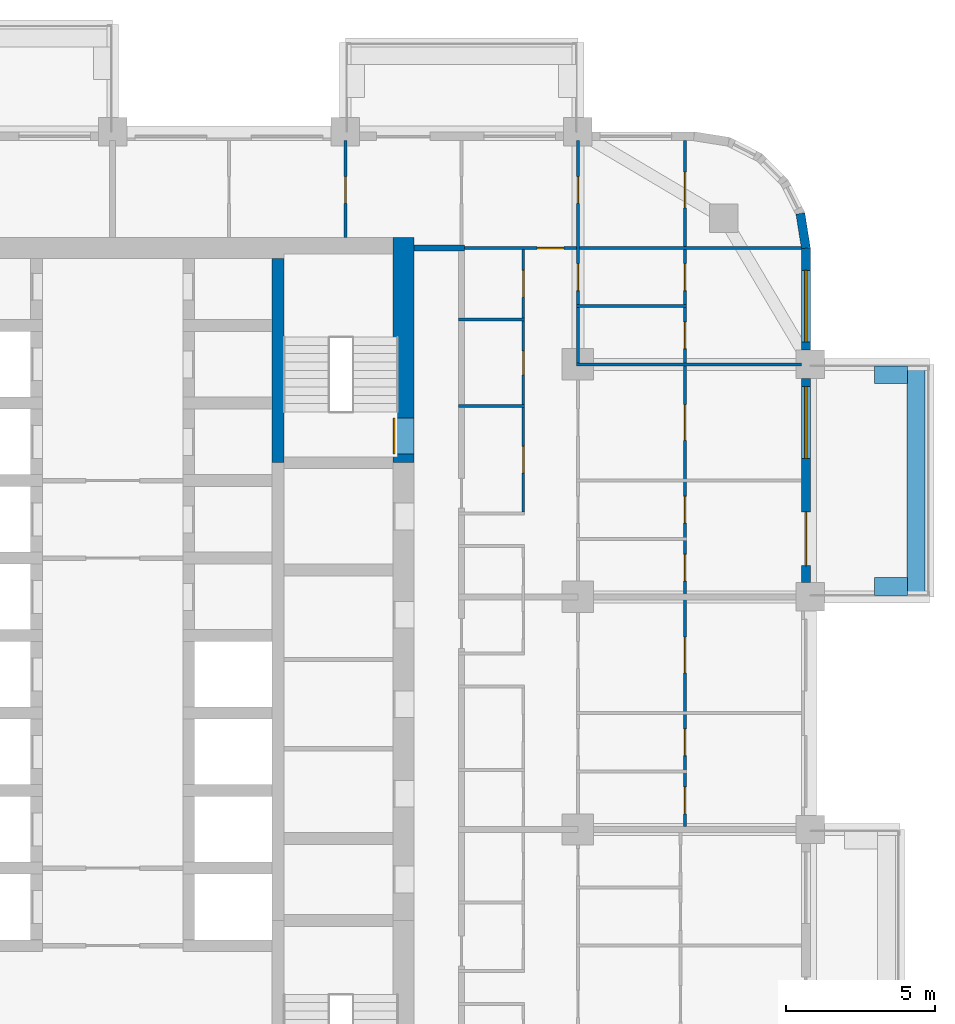
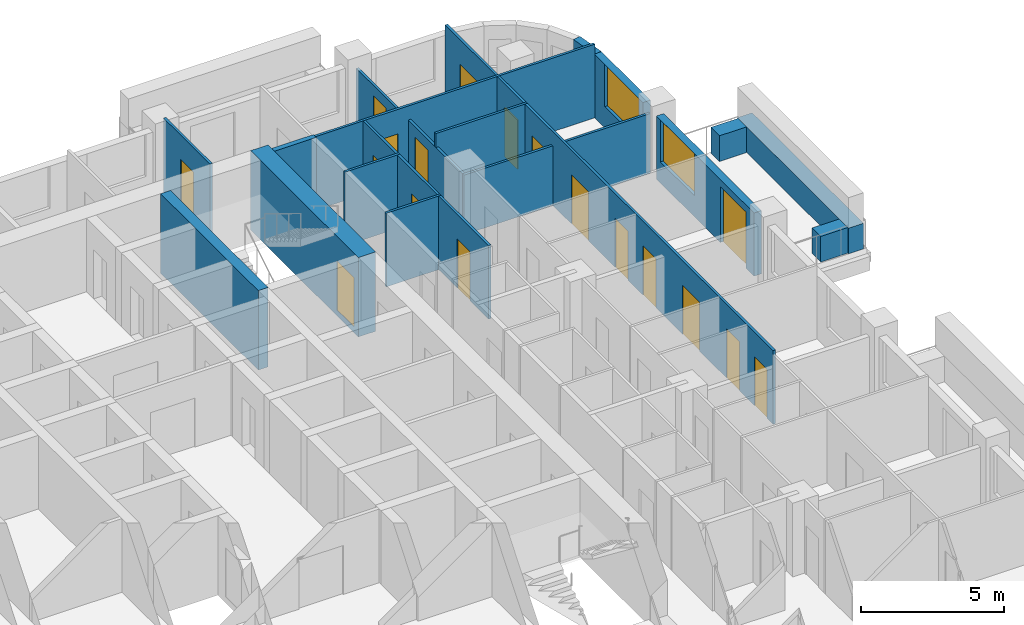
# One storey, part 13 of 18: 18 doors, 18 walls, 2 windows, 20 openings.
"""IFC4 building model written with IfcOpenShell, lengths in metres."""

from ifc_helpers import new_model, si_unit, direction, frame, frame_2d, origin, place, context, subcontext, project, spatial, rectangle, extrude, material, layer, layer_set, type_object, element, fill, save


model = new_model("IFC4")

# Units and contexts
model_context = context("Model", 3, precision=1e-05, world=origin(), true_north=direction((0.0, 1.0)))
body_context = subcontext(model_context, "Body", "Model", "MODEL_VIEW")
ifc_project = project(units=[si_unit("LENGTHUNIT", "METRE"), si_unit("AREAUNIT", "SQUARE_METRE"), si_unit("VOLUMEUNIT", "CUBIC_METRE"), si_unit("PLANEANGLEUNIT", "RADIAN"), si_unit("MASSUNIT", "GRAM", prefix="KILO")], contexts=[model_context])

# Site, building, storey
site_placement = place(None, origin())
site = spatial("IfcSite", under=ifc_project, at=site_placement, CompositionType="ELEMENT")
building_placement = place(site_placement, origin())
building = spatial("IfcBuilding", under=site, at=building_placement, Name="Ludao Terraces", CompositionType="ELEMENT")
storey_placement = place(building_placement, frame((0.0, 0.0, 61.39990234375)))
storey = spatial("IfcBuildingStorey", under=building, at=storey_placement, Name="L16", CompositionType="ELEMENT", Elevation=61.39990234375)

# Wall, opening, door
ifc_material_1 = material(Name="Concrete C70", Category="concrete")
ifc_layer_1 = layer(ifc_material_1, 0.699951171875)
ifc_layer_set_1 = layer_set([ifc_layer_1], Name="Core wall 700 C70")
wall_type_1 = type_object("IfcWallType", Name="Core wall 700 C70", PredefinedType="SOLIDWALL", material=ifc_layer_set_1)
wall_1_placement = place(storey_placement, frame((94.75, 77.300048828125, -0.25), z_axis=(0.0, 0.0, 1.0), x_axis=(0.0, 1.0, 0.0)))
wall_1 = element("IfcWall", 1, at=wall_1_placement, inside=storey, type_object=wall_type_1, Name="Core wall L16 outer-E-S2", PredefinedType="SOLIDWALL", context=body_context, shape_type="SweptSolid", body=[
    extrude(rectangle(XDim=7.550048828125, YDim=0.699951171875, at=frame_2d((3.77490234375, 0.0))), origin(), (0.0, 0.0, 1.0), 3.400146484375),
])
opening_1_placement = place(wall_1_placement, frame((0.300048828125, 0.0, 0.25)))
opening_1 = element("IfcOpeningElement", 2, at=opening_1_placement, cuts=wall_1, Name="Opening R05-136", PredefinedType="OPENING", context=body_context, shape_type="SweptSolid", body=[
    extrude(rectangle(XDim=1.199951171875, YDim=2.10009765625, at=frame_2d((0.60009765625, 1.050048828125))), frame((0.0, 0.35986328125, 0.0), z_axis=(0.0, -1.0, 0.0), x_axis=(1.0, 0.0, 0.0)), (0.0, 0.0, 1.0), 0.719970703125),
])
ifc_material_2 = material(Name="Steel Q235", Category="steel")
door_type_1 = type_object("IfcDoorType", Name="INT Stair door 1200", OperationType="DOUBLE_DOOR_SINGLE_SWING", PredefinedType="DOOR", material=ifc_material_2)
door_1_placement = place(opening_1_placement, origin())
door_1 = element("IfcDoor", 3, at=door_1_placement, inside=storey, type_object=door_type_1, Name="DOOR 136", OperationType="DOUBLE_DOOR_SINGLE_SWING", OverallHeight=2.10009765625, OverallWidth=1.199951171875, PredefinedType="DOOR", context=body_context, shape_type="SweptSolid", body=[
    extrude(rectangle(XDim=1.199951171875, YDim=2.10009765625, at=frame_2d((0.60009765625, 1.050048828125))), frame((0.0, 0.3349609375, 0.0), z_axis=(0.0, -1.0, 0.0), x_axis=(1.0, 0.0, 0.0)), (0.0, 0.0, 1.0), 0.050048828125),
])
fill(opening_1, door_1)

# Walls
ifc_material_3 = material(Name="Concrete C40", Category="concrete")
ifc_layer_2 = layer(ifc_material_3, 0.60009765625)
ifc_layer_set_2 = layer_set([ifc_layer_2], Name="ENV Planter trough 600")
wall_type_2 = type_object("IfcWallType", Name="ENV Planter trough 600", PredefinedType="USERDEFINED", material=ifc_layer_set_2)
wall_2_placement = place(storey_placement, frame((111.949951171875, 72.800048828125, 0.0), z_axis=(0.0, 0.0, 1.0), x_axis=(0.0, 1.0, 0.0)))
element("IfcWall", 4, at=wall_2_placement, inside=storey, type_object=wall_type_2, Name="PL-L16-E4", ObjectType="PLANTER", PredefinedType="USERDEFINED", context=body_context, shape_type="SweptSolid", body=[
    extrude(rectangle(XDim=7.800048828125, YDim=0.60009765625, at=frame_2d((3.89990234375, 0.0))), origin(), (0.0, 0.0, 1.0), 1.10009765625),
])
for number, where, z_axis, x_axis, name in (
    (5, (111.64990234375, 73.14990234375, 0.0), (0.0, 0.0, 1.0), (-1.0, 0.0, 0.0), "PL-L16-E4-SA"),
    (6, (111.64990234375, 80.25, 0.0), (0.0, 0.0, 1.0), (-1.0, 0.0, 0.0), "PL-L16-E4-SB"),
):
    element("IfcWall", number, at=place(storey_placement, frame(where, z_axis=z_axis, x_axis=x_axis)), inside=storey, type_object=wall_type_2, Name=name, ObjectType="PLANTER", PredefinedType="USERDEFINED", context=body_context, shape_type="SweptSolid", body=[
        extrude(rectangle(XDim=1.099853515625, YDim=0.60009765625, at=frame_2d((0.5498046875, 0.0))), origin(), (0.0, 0.0, 1.0), 1.10009765625),
    ])

# Wall, openings, door, window
ifc_material_4 = material(Name="Granite cladding", Category="masonry")
ifc_layer_3 = layer(ifc_material_4, 0.0400390625, Category="stone")
ifc_material_5 = material(Name="Mineral wool")
ifc_layer_4 = layer(ifc_material_5, 0.06005859375)
ifc_layer_5 = layer(ifc_material_3, 0.199951171875, Category="concrete")
ifc_layer_set_3 = layer_set([ifc_layer_3, ifc_layer_4, ifc_layer_5], Name="ENV Stone-clad wall 300")
wall_type_3 = type_object("IfcWallType", Name="ENV Stone-clad wall 300", PredefinedType="SOLIDWALL", material=ifc_layer_set_3)
wall_3_placement = place(storey_placement, frame((108.25, 73.27490234375, 0.0), z_axis=(0.0, 0.0, 1.0), x_axis=(0.0, 1.0, 0.0)))
wall_3 = element("IfcWall", 7, at=wall_3_placement, inside=storey, type_object=wall_type_3, Name="EW-L16-E5", PredefinedType="SOLIDWALL", context=body_context, shape_type="SweptSolid", body=[
    extrude(rectangle(XDim=6.85009765625, YDim=0.300048828125, at=frame_2d((3.425048828125, 0.0))), origin(), (0.0, 0.0, 1.0), 2.7001953125),
])
opening_2_placement = place(wall_3_placement, frame((0.574951171875, 0.0, 0.0)))
opening_2 = element("IfcOpeningElement", 8, at=opening_2_placement, cuts=wall_3, Name="Opening BD", PredefinedType="OPENING", context=body_context, shape_type="SweptSolid", body=[
    extrude(rectangle(XDim=1.800048828125, YDim=2.39990234375, at=frame_2d((0.89990234375, 1.199951171875))), frame((0.0, 0.16015625, 0.0), z_axis=(0.0, -1.0, 0.0), x_axis=(1.0, 0.0, 0.0)), (0.0, 0.0, 1.0), 0.320068359375),
])
opening_3_placement = place(wall_3_placement, frame((4.175048828125, 0.0, 0.89990234375)))
opening_3 = element("IfcOpeningElement", 9, at=opening_3_placement, cuts=wall_3, Name="Opening W1", PredefinedType="OPENING", context=body_context, shape_type="SweptSolid", body=[
    extrude(rectangle(XDim=2.39990234375, YDim=1.800048828125, at=frame_2d((1.199951171875, 0.89990234375))), frame((0.0, 0.16015625, 0.0), z_axis=(0.0, -1.0, 0.0), x_axis=(1.0, 0.0, 0.0)), (0.0, 0.0, 1.0), 0.320068359375),
])
ifc_material_6 = material(Name="Aluminium glazed door", Category="aluminium")
ifc_layer_6 = layer(ifc_material_6, 0.06005859375)
ifc_layer_set_4 = layer_set([ifc_layer_6], Name="ENV Balcony door BD 1800x2400")
door_type_2 = type_object("IfcDoorType", Name="ENV Balcony door BD 1800x2400", OperationType="DOUBLE_DOOR_SINGLE_SWING", PredefinedType="DOOR", material=ifc_layer_set_4)
door_2_placement = place(opening_2_placement, origin())
door_2 = element("IfcDoor", 10, at=door_2_placement, inside=storey, type_object=door_type_2, Name="BD-L16-E5-1", OperationType="DOUBLE_DOOR_SINGLE_SWING", OverallHeight=2.39990234375, OverallWidth=1.800048828125, PredefinedType="DOOR", context=body_context, shape_type="SweptSolid", body=[
    extrude(rectangle(XDim=1.800048828125, YDim=2.39990234375, at=frame_2d((0.89990234375, 1.199951171875))), frame((0.0, 0.02490234375, 0.0), z_axis=(0.0, -1.0, 0.0), x_axis=(1.0, 0.0, 0.0)), (0.0, 0.0, 1.0), 0.050048828125),
])
fill(opening_2, door_2)
ifc_material_7 = material(Name="Clear glass in aluminium frame", Category="aluminium")
ifc_layer_7 = layer(ifc_material_7, 0.06005859375)
ifc_layer_set_5 = layer_set([ifc_layer_7], Name="ENV Window W1 2400x1800")
window_type = type_object("IfcWindowType", Name="ENV Window W1 2400x1800", PartitioningType="DOUBLE_PANEL_VERTICAL", PredefinedType="WINDOW", material=ifc_layer_set_5)
window_1_placement = place(opening_3_placement, origin())
window_1 = element("IfcWindow", 11, at=window_1_placement, inside=storey, type_object=window_type, Name="W-L16-E5-2", OverallHeight=1.800048828125, OverallWidth=2.39990234375, PartitioningType="DOUBLE_PANEL_VERTICAL", PredefinedType="WINDOW", context=body_context, shape_type="SweptSolid", body=[
    extrude(rectangle(XDim=2.39990234375, YDim=1.800048828125, at=frame_2d((1.199951171875, 0.89990234375))), frame((0.0, 0.030029296875, 0.0), z_axis=(0.0, -1.0, 0.0), x_axis=(1.0, 0.0, 0.0)), (0.0, 0.0, 1.0), 0.06005859375),
])
fill(opening_3, window_1)

# Wall, opening, window
wall_4_placement = place(storey_placement, frame((108.25, 81.074951171875, 0.0), z_axis=(0.0, 0.0, 1.0), x_axis=(0.0, 1.0, 0.0)))
wall_4 = element("IfcWall", 12, at=wall_4_placement, inside=storey, type_object=wall_type_3, Name="EW-L16-E6", PredefinedType="SOLIDWALL", context=body_context, shape_type="SweptSolid", body=[
    extrude(rectangle(XDim=3.425048828125, YDim=0.300048828125, at=frame_2d((1.71240234375, 0.0))), origin(), (0.0, 0.0, 1.0), 2.7001953125),
])
opening_4_placement = place(wall_4_placement, frame((0.27490234375, 0.0, 0.89990234375)))
opening_4 = element("IfcOpeningElement", 13, at=opening_4_placement, cuts=wall_4, Name="Opening W1", PredefinedType="OPENING", context=body_context, shape_type="SweptSolid", body=[
    extrude(rectangle(XDim=2.39990234375, YDim=1.800048828125, at=frame_2d((1.199951171875, 0.89990234375))), frame((0.0, 0.16015625, 0.0), z_axis=(0.0, -1.0, 0.0), x_axis=(1.0, 0.0, 0.0)), (0.0, 0.0, 1.0), 0.320068359375),
])
window_2_placement = place(opening_4_placement, origin())
window_2 = element("IfcWindow", 14, at=window_2_placement, inside=storey, type_object=window_type, Name="W-L16-E6-1", OverallHeight=1.800048828125, OverallWidth=2.39990234375, PartitioningType="DOUBLE_PANEL_VERTICAL", PredefinedType="WINDOW", context=body_context, shape_type="SweptSolid", body=[
    extrude(rectangle(XDim=2.39990234375, YDim=1.800048828125, at=frame_2d((1.199951171875, 0.89990234375))), frame((0.0, 0.030029296875, 0.0), z_axis=(0.0, -1.0, 0.0), x_axis=(1.0, 0.0, 0.0)), (0.0, 0.0, 1.0), 0.06005859375),
])
fill(opening_4, window_2)

# Walls
wall_5_placement = place(storey_placement, frame((108.25, 84.5, 0.0), z_axis=(0.0, 0.0, 1.0), x_axis=(-0.156496880861, 0.987678452879, 0.0)))
element("IfcWall", 15, at=wall_5_placement, inside=storey, type_object=wall_type_3, Name="EW-L16-NE1", PredefinedType="SOLIDWALL", context=body_context, shape_type="SweptSolid", body=[
    extrude(rectangle(XDim=1.173095703125, YDim=0.300048828125, at=frame_2d((0.58642578125, 0.0))), origin(), (0.0, 0.0, 1.0), 2.7001953125),
])
ifc_material_8 = material(Name="Autoclaved aerated concrete block B06 A3.5", Category="concrete")
ifc_layer_8 = layer(ifc_material_8, 0.199951171875)
ifc_layer_set_6 = layer_set([ifc_layer_8], Name="INT Entrance wall 200")
wall_type_4 = type_object("IfcWallType", Name="INT Entrance wall 200", PredefinedType="PARTITIONING", material=ifc_layer_set_6)
wall_6_placement = place(storey_placement, frame((95.10009765625, 84.5, 0.0), z_axis=(0.0, 0.0, 1.0), x_axis=(1.0, 0.0, 0.0)))
element("IfcWall", 16, at=wall_6_placement, inside=storey, type_object=wall_type_4, Name="PW-L16-PW079", PredefinedType="PARTITIONING", context=body_context, shape_type="SweptSolid", body=[
    extrude(rectangle(XDim=1.699951171875, YDim=0.199951171875, at=frame_2d((0.85009765625, 0.0))), origin(), (0.0, 0.0, 1.0), 3.150146484375),
])
ifc_material_9 = material(Name="Gypsum plasterboard", Category="gypsum")
ifc_layer_9 = layer(ifc_material_9, 0.012451171875, Category="gypsum")
ifc_layer_10 = layer(ifc_material_5, 0.06005859375, Name="insulation")
ifc_layer_11 = layer(ifc_material_2, 0.014892578125, Name="stud")
ifc_layer_12 = layer(ifc_material_9, 0.012451171875, Category="gypsum")
ifc_layer_set_7 = layer_set([ifc_layer_9, ifc_layer_10, ifc_layer_11, ifc_layer_12], Name="INT Partition 100")
wall_type_5 = type_object("IfcWallType", Name="INT Partition 100", PredefinedType="PARTITIONING", material=ifc_layer_set_7)
wall_7_placement = place(storey_placement, frame((96.60009765625, 79.199951171875, 0.0), z_axis=(0.0, 0.0, 1.0), x_axis=(1.0, 0.0, 0.0)))
element("IfcWall", 17, at=wall_7_placement, inside=storey, type_object=wall_type_5, Name="PW-L16-PW068", PredefinedType="PARTITIONING", context=body_context, shape_type="SweptSolid", body=[
    extrude(rectangle(XDim=2.219970703125, YDim=0.10009765625, at=frame_2d((1.10986328125, 0.0))), origin(), (0.0, 0.0, 1.0), 3.150146484375),
])
wall_8_placement = place(storey_placement, frame((100.550048828125, 80.60009765625, 0.0), z_axis=(0.0, 0.0, 1.0), x_axis=(1.0, 0.0, 0.0)))
element("IfcWall", 18, at=wall_8_placement, inside=storey, type_object=wall_type_5, Name="PW-L16-PW071", PredefinedType="PARTITIONING", context=body_context, shape_type="SweptSolid", body=[
    extrude(rectangle(XDim=7.550048828125, YDim=0.10009765625, at=frame_2d((3.77490234375, 0.0))), origin(), (0.0, 0.0, 1.0), 2.550048828125),
])
wall_9_placement = place(storey_placement, frame((96.60009765625, 82.10009765625, 0.0), z_axis=(0.0, 0.0, 1.0), x_axis=(1.0, 0.0, 0.0)))
element("IfcWall", 19, at=wall_9_placement, inside=storey, type_object=wall_type_5, Name="PW-L16-PW073", PredefinedType="PARTITIONING", context=body_context, shape_type="SweptSolid", body=[
    extrude(rectangle(XDim=2.219970703125, YDim=0.10009765625, at=frame_2d((1.10986328125, 0.0))), origin(), (0.0, 0.0, 1.0), 3.150146484375),
])
wall_10_placement = place(storey_placement, frame((100.550048828125, 82.550048828125, 0.0), z_axis=(0.0, 0.0, 1.0), x_axis=(1.0, 0.0, 0.0)))
element("IfcWall", 20, at=wall_10_placement, inside=storey, type_object=wall_type_5, Name="PW-L16-PW076", PredefinedType="PARTITIONING", context=body_context, shape_type="SweptSolid", body=[
    extrude(rectangle(XDim=3.699951171875, YDim=0.10009765625, at=frame_2d((1.85009765625, 0.0))), origin(), (0.0, 0.0, 1.0), 3.150146484375),
])

# Wall, opening, door
wall_11_placement = place(storey_placement, frame((96.60009765625, 84.5, 0.0), z_axis=(0.0, 0.0, 1.0), x_axis=(1.0, 0.0, 0.0)))
wall_11 = element("IfcWall", 21, at=wall_11_placement, inside=storey, type_object=wall_type_5, Name="PW-L16-PW080", PredefinedType="PARTITIONING", context=body_context, shape_type="SweptSolid", body=[
    extrude(rectangle(XDim=11.5, YDim=0.10009765625, at=frame_2d((5.75, 0.0))), origin(), (0.0, 0.0, 1.0), 3.150146484375),
])
opening_5_placement = place(wall_11_placement, frame((2.635009765625, 0.0, 0.0)))
opening_5 = element("IfcOpeningElement", 22, at=opening_5_placement, cuts=wall_11, Name="Opening R05-158", PredefinedType="OPENING", context=body_context, shape_type="SweptSolid", body=[
    extrude(rectangle(XDim=0.89990234375, YDim=2.10009765625, at=frame_2d((0.449951171875, 1.050048828125))), frame((0.0, 0.06005859375, 0.0), z_axis=(0.0, -1.0, 0.0), x_axis=(1.0, 0.0, 0.0)), (0.0, 0.0, 1.0), 0.1201171875),
])
ifc_material_10 = material(Name="Timber door leaf", Category="wood")
door_type_3 = type_object("IfcDoorType", Name="INT Room door 900", OperationType="SINGLE_SWING_LEFT", PredefinedType="DOOR", material=ifc_material_10)
door_3_placement = place(opening_5_placement, origin())
door_3 = element("IfcDoor", 23, at=door_3_placement, inside=storey, type_object=door_type_3, Name="DOOR 158", OperationType="SINGLE_SWING_RIGHT", OverallHeight=2.10009765625, OverallWidth=0.89990234375, PredefinedType="DOOR", context=body_context, shape_type="SweptSolid", body=[
    extrude(rectangle(XDim=0.89990234375, YDim=2.10009765625, at=frame_2d((0.449951171875, 1.050048828125))), frame((0.0, 0.02490234375, 0.0), z_axis=(0.0, -1.0, 0.0), x_axis=(1.0, 0.0, 0.0)), (0.0, 0.0, 1.0), 0.050048828125),
])
fill(opening_5, door_3)

wall_12_placement = place(storey_placement, frame((92.800048828125, 84.85009765625, 0.0), z_axis=(0.0, 0.0, 1.0), x_axis=(0.0, 1.0, 0.0)))
wall_12 = element("IfcWall", 24, at=wall_12_placement, inside=storey, type_object=wall_type_5, Name="PW-L16-PW115", PredefinedType="PARTITIONING", context=body_context, shape_type="SweptSolid", body=[
    extrude(rectangle(XDim=3.25, YDim=0.10009765625, at=frame_2d((1.625, 0.0))), origin(), (0.0, 0.0, 1.0), 3.150146484375),
])
opening_6_placement = place(wall_12_placement, frame((1.14990234375, 0.0, 0.0)))
opening_6 = element("IfcOpeningElement", 25, at=opening_6_placement, cuts=wall_12, Name="Opening R05-165", PredefinedType="OPENING", context=body_context, shape_type="SweptSolid", body=[
    extrude(rectangle(XDim=0.89990234375, YDim=2.10009765625, at=frame_2d((0.449951171875, 1.050048828125))), frame((0.0, 0.06005859375, 0.0), z_axis=(0.0, -1.0, 0.0), x_axis=(1.0, 0.0, 0.0)), (0.0, 0.0, 1.0), 0.1201171875),
])
door_4_placement = place(opening_6_placement, origin())
door_4 = element("IfcDoor", 26, at=door_4_placement, inside=storey, type_object=door_type_3, Name="DOOR 165", OperationType="SINGLE_SWING_LEFT", OverallHeight=2.10009765625, OverallWidth=0.89990234375, PredefinedType="DOOR", context=body_context, shape_type="SweptSolid", body=[
    extrude(rectangle(XDim=0.89990234375, YDim=2.10009765625, at=frame_2d((0.449951171875, 1.050048828125))), frame((0.0, 0.02490234375, 0.0), z_axis=(0.0, -1.0, 0.0), x_axis=(1.0, 0.0, 0.0)), (0.0, 0.0, 1.0), 0.050048828125),
])
fill(opening_6, door_4)

# Wall, openings, doors
wall_13_placement = place(storey_placement, frame((98.77001953125, 75.650146484375, 0.0), z_axis=(0.0, 0.0, 1.0), x_axis=(0.0, 1.0, 0.0)))
wall_13 = element("IfcWall", 27, at=wall_13_placement, inside=storey, type_object=wall_type_5, Name="PW-L16-PW124", PredefinedType="PARTITIONING", context=body_context, shape_type="SweptSolid", body=[
    extrude(rectangle(XDim=8.800048828125, YDim=0.10009765625, at=frame_2d((4.39990234375, 0.0))), origin(), (0.0, 0.0, 1.0), 3.150146484375),
])
opening_7_placement = place(wall_13_placement, frame((1.300048828125, 0.0, 0.0)))
opening_7 = element("IfcOpeningElement", 28, at=opening_7_placement, cuts=wall_13, Name="Opening R05-131", PredefinedType="OPENING", context=body_context, shape_type="SweptSolid", body=[
    extrude(rectangle(XDim=0.89990234375, YDim=2.10009765625, at=frame_2d((0.449951171875, 1.050048828125))), frame((0.0, 0.06005859375, 0.0), z_axis=(0.0, -1.0, 0.0), x_axis=(1.0, 0.0, 0.0)), (0.0, 0.0, 1.0), 0.1201171875),
])
opening_8_placement = place(wall_13_placement, frame((4.60009765625, 0.0, 0.0)))
opening_8 = element("IfcOpeningElement", 29, at=opening_8_placement, cuts=wall_13, Name="Opening R05-145", PredefinedType="OPENING", context=body_context, shape_type="SweptSolid", body=[
    extrude(rectangle(XDim=0.800048828125, YDim=2.10009765625, at=frame_2d((0.39990234375, 1.050048828125))), frame((0.0, 0.06005859375, 0.0), z_axis=(0.0, -1.0, 0.0), x_axis=(1.0, 0.0, 0.0)), (0.0, 0.0, 1.0), 0.1201171875),
])
opening_9_placement = place(wall_13_placement, frame((7.199951171875, 0.0, 0.0)))
opening_9 = element("IfcOpeningElement", 30, at=opening_9_placement, cuts=wall_13, Name="Opening R05-151", PredefinedType="OPENING", context=body_context, shape_type="SweptSolid", body=[
    extrude(rectangle(XDim=0.89990234375, YDim=2.10009765625, at=frame_2d((0.449951171875, 1.050048828125))), frame((0.0, 0.06005859375, 0.0), z_axis=(0.0, -1.0, 0.0), x_axis=(1.0, 0.0, 0.0)), (0.0, 0.0, 1.0), 0.1201171875),
])
door_type_4 = type_object("IfcDoorType", Name="INT Bathroom door 900", OperationType="SINGLE_SWING_LEFT", PredefinedType="DOOR", material=ifc_material_10)
door_5_placement = place(opening_9_placement, origin())
door_5 = element("IfcDoor", 31, at=door_5_placement, inside=storey, type_object=door_type_4, Name="DOOR 151", OperationType="SINGLE_SWING_LEFT", OverallHeight=2.10009765625, OverallWidth=0.89990234375, PredefinedType="DOOR", context=body_context, shape_type="SweptSolid", body=[
    extrude(rectangle(XDim=0.89990234375, YDim=2.10009765625, at=frame_2d((0.449951171875, 1.050048828125))), frame((0.0, 0.02490234375, 0.0), z_axis=(0.0, -1.0, 0.0), x_axis=(1.0, 0.0, 0.0)), (0.0, 0.0, 1.0), 0.050048828125),
])
fill(opening_9, door_5)
door_6_placement = place(opening_7_placement, origin())
door_6 = element("IfcDoor", 32, at=door_6_placement, inside=storey, type_object=door_type_3, Name="DOOR 131", OperationType="SINGLE_SWING_LEFT", OverallHeight=2.10009765625, OverallWidth=0.89990234375, PredefinedType="DOOR", context=body_context, shape_type="SweptSolid", body=[
    extrude(rectangle(XDim=0.89990234375, YDim=2.10009765625, at=frame_2d((0.449951171875, 1.050048828125))), frame((0.0, 0.02490234375, 0.0), z_axis=(0.0, -1.0, 0.0), x_axis=(1.0, 0.0, 0.0)), (0.0, 0.0, 1.0), 0.050048828125),
])
fill(opening_7, door_6)
door_type_5 = type_object("IfcDoorType", Name="INT Store door 800", OperationType="SINGLE_SWING_LEFT", PredefinedType="DOOR", material=ifc_material_10)
door_7_placement = place(opening_8_placement, origin())
door_7 = element("IfcDoor", 33, at=door_7_placement, inside=storey, type_object=door_type_5, Name="DOOR 145", OperationType="SINGLE_SWING_RIGHT", OverallHeight=2.10009765625, OverallWidth=0.800048828125, PredefinedType="DOOR", context=body_context, shape_type="SweptSolid", body=[
    extrude(rectangle(XDim=0.800048828125, YDim=2.10009765625, at=frame_2d((0.39990234375, 1.050048828125))), frame((0.0, 0.02490234375, 0.0), z_axis=(0.0, -1.0, 0.0), x_axis=(1.0, 0.0, 0.0)), (0.0, 0.0, 1.0), 0.050048828125),
])
fill(opening_8, door_7)

wall_14_placement = place(storey_placement, frame((100.60009765625, 80.60009765625, 0.0), z_axis=(0.0, 0.0, 1.0), x_axis=(0.0, 1.0, 0.0)))
wall_14 = element("IfcWall", 34, at=wall_14_placement, inside=storey, type_object=wall_type_5, Name="PW-L16-PW125-3", PredefinedType="PARTITIONING", context=body_context, shape_type="SweptSolid", body=[
    extrude(rectangle(XDim=7.5, YDim=0.10009765625, at=frame_2d((3.75, 0.0))), origin(), (0.0, 0.0, 1.0), 2.550048828125),
])
opening_10_placement = place(wall_14_placement, frame((2.47509765625, 0.0, 0.0)))
opening_10 = element("IfcOpeningElement", 35, at=opening_10_placement, cuts=wall_14, Name="Opening R05-155", PredefinedType="OPENING", context=body_context, shape_type="SweptSolid", body=[
    extrude(rectangle(XDim=0.89990234375, YDim=2.10009765625, at=frame_2d((0.449951171875, 1.050048828125))), frame((0.0, 0.06005859375, 0.0), z_axis=(0.0, -1.0, 0.0), x_axis=(1.0, 0.0, 0.0)), (0.0, 0.0, 1.0), 0.1201171875),
])
opening_11_placement = place(wall_14_placement, frame((5.39990234375, 0.0, 0.0)))
opening_11 = element("IfcOpeningElement", 36, at=opening_11_placement, cuts=wall_14, Name="Opening R05-167", PredefinedType="OPENING", context=body_context, shape_type="SweptSolid", body=[
    extrude(rectangle(XDim=0.89990234375, YDim=2.10009765625, at=frame_2d((0.449951171875, 1.050048828125))), frame((0.0, 0.06005859375, 0.0), z_axis=(0.0, -1.0, 0.0), x_axis=(1.0, 0.0, 0.0)), (0.0, 0.0, 1.0), 0.1201171875),
])
door_8_placement = place(opening_10_placement, origin())
door_8 = element("IfcDoor", 37, at=door_8_placement, inside=storey, type_object=door_type_3, Name="DOOR 155", OperationType="SINGLE_SWING_RIGHT", OverallHeight=2.10009765625, OverallWidth=0.89990234375, PredefinedType="DOOR", context=body_context, shape_type="SweptSolid", body=[
    extrude(rectangle(XDim=0.89990234375, YDim=2.10009765625, at=frame_2d((0.449951171875, 1.050048828125))), frame((0.0, 0.02490234375, 0.0), z_axis=(0.0, -1.0, 0.0), x_axis=(1.0, 0.0, 0.0)), (0.0, 0.0, 1.0), 0.050048828125),
])
fill(opening_10, door_8)
door_9_placement = place(opening_11_placement, origin())
door_9 = element("IfcDoor", 38, at=door_9_placement, inside=storey, type_object=door_type_3, Name="DOOR 167", OperationType="SINGLE_SWING_LEFT", OverallHeight=2.10009765625, OverallWidth=0.89990234375, PredefinedType="DOOR", context=body_context, shape_type="SweptSolid", body=[
    extrude(rectangle(XDim=0.89990234375, YDim=2.10009765625, at=frame_2d((0.449951171875, 1.050048828125))), frame((0.0, 0.02490234375, 0.0), z_axis=(0.0, -1.0, 0.0), x_axis=(1.0, 0.0, 0.0)), (0.0, 0.0, 1.0), 0.050048828125),
])
fill(opening_11, door_9)

wall_15_placement = place(storey_placement, frame((104.199951171875, 65.10009765625, 0.0), z_axis=(0.0, 0.0, 1.0), x_axis=(0.0, 1.0, 0.0)))
wall_15 = element("IfcWall", 39, at=wall_15_placement, inside=storey, type_object=wall_type_5, Name="PW-L16-PW127", PredefinedType="PARTITIONING", context=body_context, shape_type="SweptSolid", body=[
    extrude(rectangle(XDim=23.0, YDim=0.10009765625, at=frame_2d((11.5, 0.0))), origin(), (0.0, 0.0, 1.0), 3.150146484375),
])
opening_12_placement = place(wall_15_placement, frame((0.425048828125, 0.0, 0.0)))
opening_12 = element("IfcOpeningElement", 40, at=opening_12_placement, cuts=wall_15, Name="Opening R05-090", PredefinedType="OPENING", context=body_context, shape_type="SweptSolid", body=[
    extrude(rectangle(XDim=0.89990234375, YDim=2.10009765625, at=frame_2d((0.449951171875, 1.050048828125))), frame((0.0, 0.06005859375, 0.0), z_axis=(0.0, -1.0, 0.0), x_axis=(1.0, 0.0, 0.0)), (0.0, 0.0, 1.0), 0.1201171875),
])
opening_13_placement = place(wall_15_placement, frame((2.375, 0.0, 0.0)))
opening_13 = element("IfcOpeningElement", 41, at=opening_13_placement, cuts=wall_15, Name="Opening R05-099", PredefinedType="OPENING", context=body_context, shape_type="SweptSolid", body=[
    extrude(rectangle(XDim=0.89990234375, YDim=2.10009765625, at=frame_2d((0.449951171875, 1.050048828125))), frame((0.0, 0.06005859375, 0.0), z_axis=(0.0, -1.0, 0.0), x_axis=(1.0, 0.0, 0.0)), (0.0, 0.0, 1.0), 0.1201171875),
])
opening_14_placement = place(wall_15_placement, frame((5.14990234375, 0.0, 0.0)))
opening_14 = element("IfcOpeningElement", 42, at=opening_14_placement, cuts=wall_15, Name="Opening R05-107", PredefinedType="OPENING", context=body_context, shape_type="SweptSolid", body=[
    extrude(rectangle(XDim=1.199951171875, YDim=2.10009765625, at=frame_2d((0.60009765625, 1.050048828125))), frame((0.0, 0.06005859375, 0.0), z_axis=(0.0, -1.0, 0.0), x_axis=(1.0, 0.0, 0.0)), (0.0, 0.0, 1.0), 0.1201171875),
])
opening_15_placement = place(wall_15_placement, frame((8.22509765625, 0.0, 0.0)))
opening_15 = element("IfcOpeningElement", 43, at=opening_15_placement, cuts=wall_15, Name="Opening R05-117", PredefinedType="OPENING", context=body_context, shape_type="SweptSolid", body=[
    extrude(rectangle(XDim=0.89990234375, YDim=2.10009765625, at=frame_2d((0.449951171875, 1.050048828125))), frame((0.0, 0.06005859375, 0.0), z_axis=(0.0, -1.0, 0.0), x_axis=(1.0, 0.0, 0.0)), (0.0, 0.0, 1.0), 0.1201171875),
])
opening_16_placement = place(wall_15_placement, frame((10.175048828125, 0.0, 0.0)))
opening_16 = element("IfcOpeningElement", 44, at=opening_16_placement, cuts=wall_15, Name="Opening R05-126", PredefinedType="OPENING", context=body_context, shape_type="SweptSolid", body=[
    extrude(rectangle(XDim=0.89990234375, YDim=2.10009765625, at=frame_2d((0.449951171875, 1.050048828125))), frame((0.0, 0.06005859375, 0.0), z_axis=(0.0, -1.0, 0.0), x_axis=(1.0, 0.0, 0.0)), (0.0, 0.0, 1.0), 0.1201171875),
])
opening_17_placement = place(wall_15_placement, frame((12.949951171875, 0.0, 0.0)))
opening_17 = element("IfcOpeningElement", 45, at=opening_17_placement, cuts=wall_15, Name="Opening R05-140", PredefinedType="OPENING", context=body_context, shape_type="SweptSolid", body=[
    extrude(rectangle(XDim=1.199951171875, YDim=2.10009765625, at=frame_2d((0.60009765625, 1.050048828125))), frame((0.0, 0.06005859375, 0.0), z_axis=(0.0, -1.0, 0.0), x_axis=(1.0, 0.0, 0.0)), (0.0, 0.0, 1.0), 0.1201171875),
])
opening_18_placement = place(wall_15_placement, frame((16.02490234375, 0.0, 0.0)))
opening_18 = element("IfcOpeningElement", 46, at=opening_18_placement, cuts=wall_15, Name="Opening R05-147", PredefinedType="OPENING", context=body_context, shape_type="SweptSolid", body=[
    extrude(rectangle(XDim=0.89990234375, YDim=2.10009765625, at=frame_2d((0.449951171875, 1.050048828125))), frame((0.0, 0.06005859375, 0.0), z_axis=(0.0, -1.0, 0.0), x_axis=(1.0, 0.0, 0.0)), (0.0, 0.0, 1.0), 0.1201171875),
])
opening_19_placement = place(wall_15_placement, frame((17.97509765625, 0.0, 0.0)))
opening_19 = element("IfcOpeningElement", 47, at=opening_19_placement, cuts=wall_15, Name="Opening R05-156", PredefinedType="OPENING", context=body_context, shape_type="SweptSolid", body=[
    extrude(rectangle(XDim=0.89990234375, YDim=2.10009765625, at=frame_2d((0.449951171875, 1.050048828125))), frame((0.0, 0.06005859375, 0.0), z_axis=(0.0, -1.0, 0.0), x_axis=(1.0, 0.0, 0.0)), (0.0, 0.0, 1.0), 0.1201171875),
])
opening_20_placement = place(wall_15_placement, frame((20.75, 0.0, 0.0)))
opening_20 = element("IfcOpeningElement", 48, at=opening_20_placement, cuts=wall_15, Name="Opening R05-168", PredefinedType="OPENING", context=body_context, shape_type="SweptSolid", body=[
    extrude(rectangle(XDim=1.199951171875, YDim=2.10009765625, at=frame_2d((0.60009765625, 1.050048828125))), frame((0.0, 0.06005859375, 0.0), z_axis=(0.0, -1.0, 0.0), x_axis=(1.0, 0.0, 0.0)), (0.0, 0.0, 1.0), 0.1201171875),
])
door_10_placement = place(opening_12_placement, origin())
door_10 = element("IfcDoor", 49, at=door_10_placement, inside=storey, type_object=door_type_4, Name="DOOR 090", OperationType="SINGLE_SWING_LEFT", OverallHeight=2.10009765625, OverallWidth=0.89990234375, PredefinedType="DOOR", context=body_context, shape_type="SweptSolid", body=[
    extrude(rectangle(XDim=0.89990234375, YDim=2.10009765625, at=frame_2d((0.449951171875, 1.050048828125))), frame((0.0, 0.02490234375, 0.0), z_axis=(0.0, -1.0, 0.0), x_axis=(1.0, 0.0, 0.0)), (0.0, 0.0, 1.0), 0.050048828125),
])
fill(opening_12, door_10)
door_11_placement = place(opening_15_placement, origin())
door_11 = element("IfcDoor", 50, at=door_11_placement, inside=storey, type_object=door_type_4, Name="DOOR 117", OperationType="SINGLE_SWING_LEFT", OverallHeight=2.10009765625, OverallWidth=0.89990234375, PredefinedType="DOOR", context=body_context, shape_type="SweptSolid", body=[
    extrude(rectangle(XDim=0.89990234375, YDim=2.10009765625, at=frame_2d((0.449951171875, 1.050048828125))), frame((0.0, 0.02490234375, 0.0), z_axis=(0.0, -1.0, 0.0), x_axis=(1.0, 0.0, 0.0)), (0.0, 0.0, 1.0), 0.050048828125),
])
fill(opening_15, door_11)
door_12_placement = place(opening_18_placement, origin())
door_12 = element("IfcDoor", 51, at=door_12_placement, inside=storey, type_object=door_type_4, Name="DOOR 147", OperationType="SINGLE_SWING_RIGHT", OverallHeight=2.10009765625, OverallWidth=0.89990234375, PredefinedType="DOOR", context=body_context, shape_type="SweptSolid", body=[
    extrude(rectangle(XDim=0.89990234375, YDim=2.10009765625, at=frame_2d((0.449951171875, 1.050048828125))), frame((0.0, 0.02490234375, 0.0), z_axis=(0.0, -1.0, 0.0), x_axis=(1.0, 0.0, 0.0)), (0.0, 0.0, 1.0), 0.050048828125),
])
fill(opening_18, door_12)
door_type_6 = type_object("IfcDoorType", Name="INT Double door 1200", OperationType="DOUBLE_DOOR_SINGLE_SWING", PredefinedType="DOOR", material=ifc_material_10)
door_13_placement = place(opening_14_placement, origin())
door_13 = element("IfcDoor", 52, at=door_13_placement, inside=storey, type_object=door_type_6, Name="DOOR 107", OperationType="DOUBLE_DOOR_SINGLE_SWING", OverallHeight=2.10009765625, OverallWidth=1.199951171875, PredefinedType="DOOR", context=body_context, shape_type="SweptSolid", body=[
    extrude(rectangle(XDim=1.199951171875, YDim=2.10009765625, at=frame_2d((0.60009765625, 1.050048828125))), frame((0.0, 0.02490234375, 0.0), z_axis=(0.0, -1.0, 0.0), x_axis=(1.0, 0.0, 0.0)), (0.0, 0.0, 1.0), 0.050048828125),
])
fill(opening_14, door_13)
door_14_placement = place(opening_17_placement, origin())
door_14 = element("IfcDoor", 53, at=door_14_placement, inside=storey, type_object=door_type_6, Name="DOOR 140", OperationType="DOUBLE_DOOR_SINGLE_SWING", OverallHeight=2.10009765625, OverallWidth=1.199951171875, PredefinedType="DOOR", context=body_context, shape_type="SweptSolid", body=[
    extrude(rectangle(XDim=1.199951171875, YDim=2.10009765625, at=frame_2d((0.60009765625, 1.050048828125))), frame((0.0, 0.02490234375, 0.0), z_axis=(0.0, -1.0, 0.0), x_axis=(1.0, 0.0, 0.0)), (0.0, 0.0, 1.0), 0.050048828125),
])
fill(opening_17, door_14)
door_15_placement = place(opening_20_placement, origin())
door_15 = element("IfcDoor", 54, at=door_15_placement, inside=storey, type_object=door_type_6, Name="DOOR 168", OperationType="DOUBLE_DOOR_SINGLE_SWING", OverallHeight=2.10009765625, OverallWidth=1.199951171875, PredefinedType="DOOR", context=body_context, shape_type="SweptSolid", body=[
    extrude(rectangle(XDim=1.199951171875, YDim=2.10009765625, at=frame_2d((0.60009765625, 1.050048828125))), frame((0.0, 0.02490234375, 0.0), z_axis=(0.0, -1.0, 0.0), x_axis=(1.0, 0.0, 0.0)), (0.0, 0.0, 1.0), 0.050048828125),
])
fill(opening_20, door_15)
door_16_placement = place(opening_13_placement, origin())
door_16 = element("IfcDoor", 55, at=door_16_placement, inside=storey, type_object=door_type_3, Name="DOOR 099", OperationType="SINGLE_SWING_RIGHT", OverallHeight=2.10009765625, OverallWidth=0.89990234375, PredefinedType="DOOR", context=body_context, shape_type="SweptSolid", body=[
    extrude(rectangle(XDim=0.89990234375, YDim=2.10009765625, at=frame_2d((0.449951171875, 1.050048828125))), frame((0.0, 0.02490234375, 0.0), z_axis=(0.0, -1.0, 0.0), x_axis=(1.0, 0.0, 0.0)), (0.0, 0.0, 1.0), 0.050048828125),
])
fill(opening_13, door_16)
door_17_placement = place(opening_16_placement, origin())
door_17 = element("IfcDoor", 56, at=door_17_placement, inside=storey, type_object=door_type_3, Name="DOOR 126", OperationType="SINGLE_SWING_LEFT", OverallHeight=2.10009765625, OverallWidth=0.89990234375, PredefinedType="DOOR", context=body_context, shape_type="SweptSolid", body=[
    extrude(rectangle(XDim=0.89990234375, YDim=2.10009765625, at=frame_2d((0.449951171875, 1.050048828125))), frame((0.0, 0.02490234375, 0.0), z_axis=(0.0, -1.0, 0.0), x_axis=(1.0, 0.0, 0.0)), (0.0, 0.0, 1.0), 0.050048828125),
])
fill(opening_16, door_17)
door_18_placement = place(opening_19_placement, origin())
door_18 = element("IfcDoor", 57, at=door_18_placement, inside=storey, type_object=door_type_3, Name="DOOR 156", OperationType="SINGLE_SWING_LEFT", OverallHeight=2.10009765625, OverallWidth=0.89990234375, PredefinedType="DOOR", context=body_context, shape_type="SweptSolid", body=[
    extrude(rectangle(XDim=0.89990234375, YDim=2.10009765625, at=frame_2d((0.449951171875, 1.050048828125))), frame((0.0, 0.02490234375, 0.0), z_axis=(0.0, -1.0, 0.0), x_axis=(1.0, 0.0, 0.0)), (0.0, 0.0, 1.0), 0.050048828125),
])
fill(opening_19, door_18)

# Wall
ifc_material_11 = material(Name="Concrete C60", Category="concrete")
ifc_layer_13 = layer(ifc_material_11, 0.39990234375)
ifc_layer_set_8 = layer_set([ifc_layer_13], Name="Shaft wall 400 C60")
wall_type_6 = type_object("IfcWallType", Name="Shaft wall 400 C60", PredefinedType="SOLIDWALL", material=ifc_layer_set_8)
wall_16_placement = place(storey_placement, frame((90.550048828125, 77.300048828125, -0.25), z_axis=(0.0, 0.0, 1.0), x_axis=(0.0, 1.0, 0.0)))
element("IfcWall", 58, at=wall_16_placement, inside=storey, type_object=wall_type_6, Name="Core wall L16 back-E-S2", PredefinedType="SOLIDWALL", context=body_context, shape_type="SweptSolid", body=[
    extrude(rectangle(XDim=6.849853515625, YDim=0.39990234375, at=frame_2d((3.4248046875, 0.0))), origin(), (0.0, 0.0, 1.0), 3.400146484375),
])

save(model, "model.ifc")
